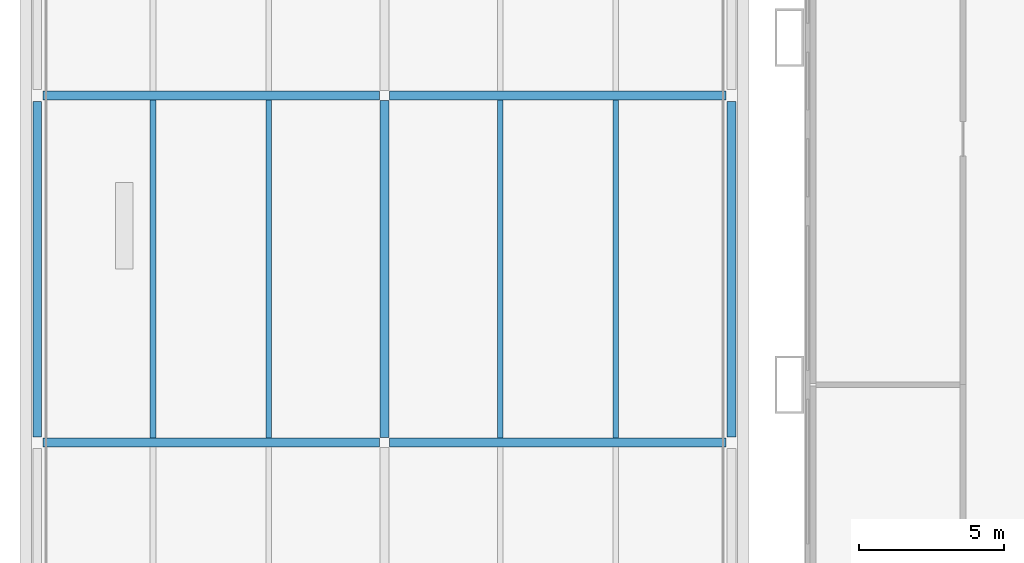
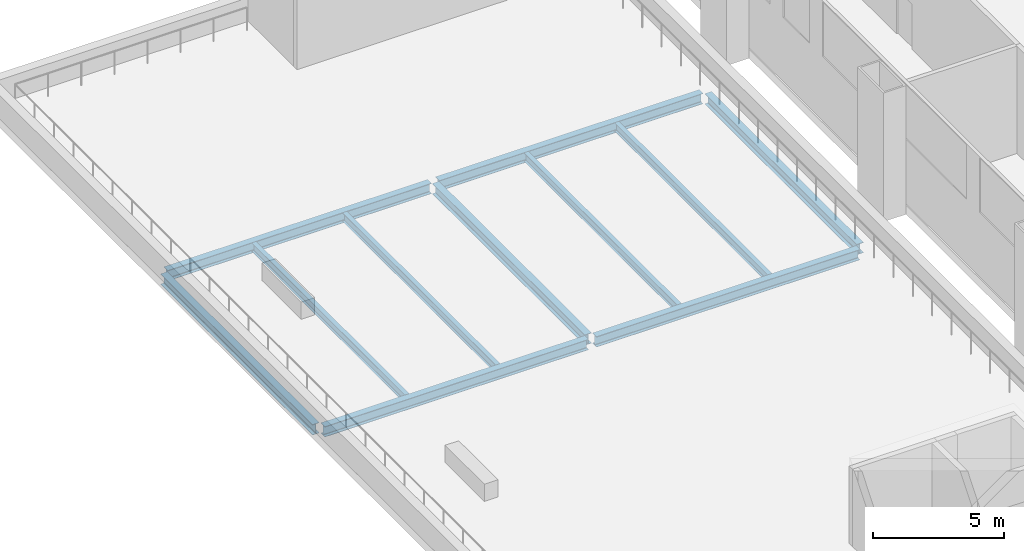
# One storey, part 6 of 27: 11 beams.
"""IFC4 building model written with IfcOpenShell, lengths in metres."""

from ifc_helpers import new_model, si_unit, direction, frame, origin, origin_2d, place, context, subcontext, project, spatial, i_section, extrude, material, material_profile, profile_set, type_object, element, save


model = new_model("IFC4")

# Units and contexts
model_context = context("Model", 3, precision=1e-05, world=origin(), true_north=direction((0.0, 1.0)))
body_context = subcontext(model_context, "Body", "Model", "MODEL_VIEW")
ifc_project = project(units=[si_unit("LENGTHUNIT", "METRE"), si_unit("AREAUNIT", "SQUARE_METRE"), si_unit("VOLUMEUNIT", "CUBIC_METRE"), si_unit("PLANEANGLEUNIT", "RADIAN"), si_unit("MASSUNIT", "GRAM", prefix="KILO")], contexts=[model_context])

# Site, building, storey
site_placement = place(None, origin())
site = spatial("IfcSite", under=ifc_project, at=site_placement, CompositionType="ELEMENT")
building_placement = place(site_placement, origin())
building = spatial("IfcBuilding", under=site, at=building_placement, Name="Kitamizu Gate Tower and Museum", CompositionType="ELEMENT")
storey_placement = place(building_placement, frame((0.0, 0.0, 24.0)))
storey = spatial("IfcBuildingStorey", under=building, at=storey_placement, Name="L04", CompositionType="ELEMENT", Elevation=24.0)

# Beams
ifc_material_1 = material(Name="Steel SS400", Category="steel")
ifc_material_profile_1 = material_profile(ifc_material_1, i_section(OverallWidth=0.300048828125, OverallDepth=0.488037109375, WebThickness=0.010986328125, FlangeThickness=0.01806640625, FilletRadius=0.02587890625, at=origin_2d()), Name="H-488x300x11x18")
ifc_profile_set_1 = profile_set([ifc_material_profile_1], Name="Steel SS400")
beam_type_1 = type_object("IfcBeamType", Name="Museum girder H 488x300x11x18", PredefinedType="BEAM", material=ifc_profile_set_1)
for number, where, z_axis, x_axis, name in (
    (1, (-25.800048828125, 22.0, -0.64404296875), (1.0, 0.0, 0.0), (0.0, 1.0, 0.0), "Girder xM1M2ME"),
    (2, (-25.800048828125, 34.0, -0.64404296875), (1.0, 0.0, 0.0), (0.0, 1.0, 0.0), "Girder xM1M2MF"),
    (3, (-13.824951171875, 22.0, -0.64404296875), (1.0, 0.0, 0.0), (0.0, 1.0, 0.0), "Girder xM2M3ME"),
    (4, (-13.824951171875, 34.0, -0.64404296875), (1.0, 0.0, 0.0), (0.0, 1.0, 0.0), "Girder xM2M3MF"),
):
    element("IfcBeam", number, at=place(storey_placement, frame(where, z_axis=z_axis, x_axis=x_axis)), inside=storey, type_object=beam_type_1, Name=name, PredefinedType="BEAM", context=body_context, shape_type="SweptSolid", body=[
        extrude(i_section(OverallWidth=0.300048828125, OverallDepth=0.488037109375, WebThickness=0.010986328125, FlangeThickness=0.01806640625, FilletRadius=0.02587890625, at=origin_2d()), origin(), (0.0, 0.0, 1.0), 11.625),
    ])
beam_1_placement = place(storey_placement, frame((-26.0, 22.199951171875, -0.64404296875), z_axis=(0.0, 1.0, 0.0), x_axis=(-1.0, 0.0, 0.0)))
element("IfcBeam", 5, at=beam_1_placement, inside=storey, type_object=beam_type_1, Name="Girder yM1MEMF", PredefinedType="BEAM", context=body_context, shape_type="SweptSolid", body=[
    extrude(i_section(OverallWidth=0.300048828125, OverallDepth=0.488037109375, WebThickness=0.010986328125, FlangeThickness=0.01806640625, FilletRadius=0.02587890625, at=origin_2d()), origin(), (0.0, 0.0, 1.0), 11.60009765625),
])
beam_2_placement = place(storey_placement, frame((-14.0, 22.175048828125, -0.64404296875), z_axis=(0.0, 1.0, 0.0), x_axis=(-1.0, 0.0, 0.0)))
element("IfcBeam", 6, at=beam_2_placement, inside=storey, type_object=beam_type_1, Name="Girder yM2MEMF", PredefinedType="BEAM", context=body_context, shape_type="SweptSolid", body=[
    extrude(i_section(OverallWidth=0.300048828125, OverallDepth=0.488037109375, WebThickness=0.010986328125, FlangeThickness=0.01806640625, FilletRadius=0.02587890625, at=origin_2d()), origin(), (0.0, 0.0, 1.0), 11.64990234375),
])
beam_3_placement = place(storey_placement, frame((-2.0, 22.199951171875, -0.64404296875), z_axis=(0.0, 1.0, 0.0), x_axis=(-1.0, 0.0, 0.0)))
element("IfcBeam", 7, at=beam_3_placement, inside=storey, type_object=beam_type_1, Name="Girder yM3MEMF", PredefinedType="BEAM", context=body_context, shape_type="SweptSolid", body=[
    extrude(i_section(OverallWidth=0.300048828125, OverallDepth=0.488037109375, WebThickness=0.010986328125, FlangeThickness=0.01806640625, FilletRadius=0.02587890625, at=origin_2d()), origin(), (0.0, 0.0, 1.0), 11.60009765625),
])
ifc_material_2 = material(Name="Steel SS400", Category="steel")
ifc_material_profile_2 = material_profile(ifc_material_2, i_section(OverallWidth=0.198974609375, OverallDepth=0.39599609375, WebThickness=0.007080078125, FlangeThickness=0.010986328125, FilletRadius=0.01611328125, at=origin_2d()), Name="H-396x199x7x11")
ifc_profile_set_2 = profile_set([ifc_material_profile_2], Name="Steel SS400")
beam_type_2 = type_object("IfcBeamType", Name="Museum secondary beam H 396x199x7x11", PredefinedType="JOIST", material=ifc_profile_set_2)
for number, where, z_axis, x_axis, name in (
    (8, (-22.0, 22.14990234375, -0.597900390625), (0.0, 1.0, 0.0), (-1.0, 0.0, 0.0), "Secondary beam M1M2MEMF.1"),
    (9, (-18.0, 22.14990234375, -0.597900390625), (0.0, 1.0, 0.0), (-1.0, 0.0, 0.0), "Secondary beam M1M2MEMF.2"),
    (10, (-10.0, 22.14990234375, -0.597900390625), (0.0, 1.0, 0.0), (-1.0, 0.0, 0.0), "Secondary beam M2M3MEMF.1"),
    (11, (-6.0, 22.14990234375, -0.597900390625), (0.0, 1.0, 0.0), (-1.0, 0.0, 0.0), "Secondary beam M2M3MEMF.2"),
):
    element("IfcBeam", number, at=place(storey_placement, frame(where, z_axis=z_axis, x_axis=x_axis)), inside=storey, type_object=beam_type_2, Name=name, PredefinedType="JOIST", context=body_context, shape_type="SweptSolid", body=[
        extrude(i_section(OverallWidth=0.198974609375, OverallDepth=0.39599609375, WebThickness=0.007080078125, FlangeThickness=0.010986328125, FilletRadius=0.01611328125, at=origin_2d()), origin(), (0.0, 0.0, 1.0), 11.7001953125),
    ])

save(model, "model.ifc")
